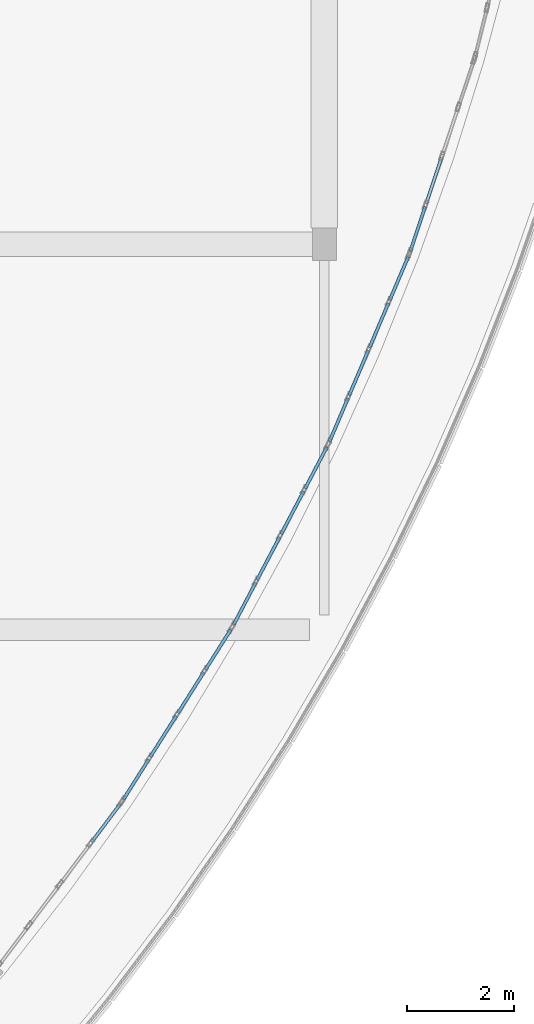
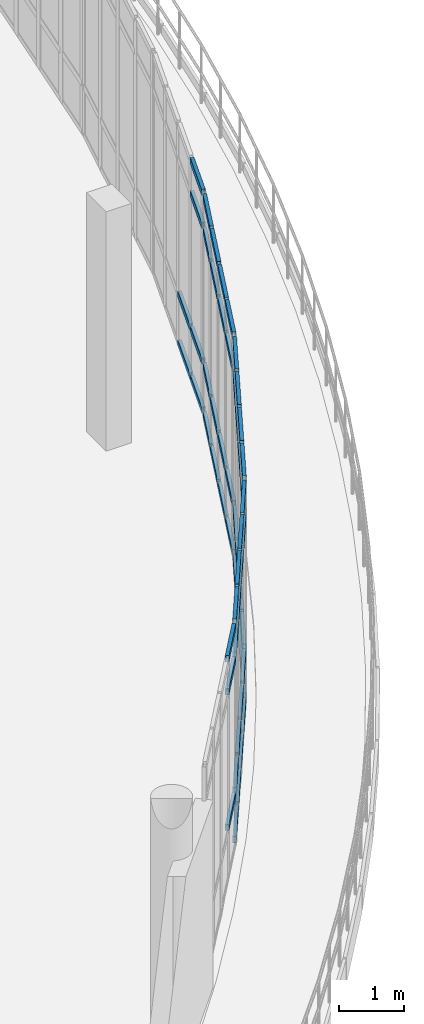
# One storey, part 85 of 124: 57 members, 5 elements without a shape of their own.
"""IFC4 building model written with IfcOpenShell, lengths in metres."""

from ifc_helpers import new_model, si_unit, direction, frame, origin, origin_2d, place, context, subcontext, project, spatial, hollow_rectangle, extrude, material, material_profile, profile_set, type_object, element, aggregate, save


model = new_model("IFC4")

# Units and contexts
model_context = context("Model", 3, precision=1e-05, world=origin(), true_north=direction((0.0, 1.0)))
body_context = subcontext(model_context, "Body", "Model", "MODEL_VIEW")
ifc_project = project(units=[si_unit("LENGTHUNIT", "METRE"), si_unit("AREAUNIT", "SQUARE_METRE"), si_unit("VOLUMEUNIT", "CUBIC_METRE"), si_unit("PLANEANGLEUNIT", "RADIAN"), si_unit("MASSUNIT", "GRAM", prefix="KILO")], contexts=[model_context])

# Site, building, storey
site_placement = place(None, origin())
site = spatial("IfcSite", under=ifc_project, at=site_placement, CompositionType="ELEMENT")
building_placement = place(site_placement, origin())
building = spatial("IfcBuilding", under=site, at=building_placement, Name="Kalluvel Institute of Natural Sciences", CompositionType="ELEMENT")
storey_placement = place(building_placement, frame((0.0, 0.0, 9.89990234375)))
storey = spatial("IfcBuildingStorey", under=building, at=storey_placement, Name="L02", CompositionType="ELEMENT", Elevation=9.89990234375)

# Curtain wall, members
ifc_material = material(Name="Aluminium AW-6063 T6", Category="aluminium")
curtain_wall_type = type_object("IfcCurtainWallType", Name="CW-ATR-ARC", PredefinedType="USERDEFINED", material=ifc_material)
curtain_wall_1_placement = place(storey_placement, origin())
curtain_wall_1 = element("IfcCurtainWall", 1, at=curtain_wall_1_placement, inside=storey, type_object=curtain_wall_type, Name="L02 Gothic lancet curtain wall CWA-L02-X727-Y725", ObjectType="UNITISED LANCET FACADE", PredefinedType="USERDEFINED")
ifc_material_profile = material_profile(ifc_material, hollow_rectangle(XDim=0.06005859375, YDim=0.1201171875, WallThickness=0.00390625, at=origin_2d()), Name="CWT 60x120")
ifc_profile_set = profile_set([ifc_material_profile], Name="Aluminium AW-6063 T6")
member_type = type_object("IfcMemberType", Name="CWT-60x120", PredefinedType="USERDEFINED", material=ifc_profile_set)
member_1_placement = place(storey_placement, frame((74.459716796875, 74.8427734375, 0.9501953125), z_axis=(0.600669993069, 0.799497066553, 0.0), x_axis=(-0.799497066553, 0.600669993069, 0.0)))
member_1 = element("IfcMember", 2, at=member_1_placement, type_object=member_type, Name="CW-05 transom 4.2", ObjectType="TRANSOM", PredefinedType="USERDEFINED", context=body_context, shape_type="SweptSolid", body=[
    extrude(hollow_rectangle(XDim=0.06005859375, YDim=0.1201171875, WallThickness=0.00390625, at=origin_2d()), origin(), (0.0, 0.0, 1.0), 0.874267578125),
])
member_2_placement = place(storey_placement, frame((74.459716796875, 74.8427734375, 3.5), z_axis=(0.600669993069, 0.799497066553, 0.0), x_axis=(-0.799497066553, 0.600669993069, 0.0)))
member_2 = element("IfcMember", 3, at=member_2_placement, type_object=member_type, Name="CW-05 transom 4.3", ObjectType="TRANSOM", PredefinedType="USERDEFINED", context=body_context, shape_type="SweptSolid", body=[
    extrude(hollow_rectangle(XDim=0.06005859375, YDim=0.1201171875, WallThickness=0.00390625, at=origin_2d()), origin(), (0.0, 0.0, 1.0), 0.874267578125),
])
member_3_placement = place(storey_placement, frame((74.459716796875, 74.8427734375, 4.1201171875), z_axis=(0.600669993069, 0.799497066553, 0.0), x_axis=(-0.799497066553, 0.600669993069, 0.0)))
member_3 = element("IfcMember", 4, at=member_3_placement, type_object=member_type, Name="CW-05 transom 4.4", ObjectType="TRANSOM", PredefinedType="USERDEFINED", context=body_context, shape_type="SweptSolid", body=[
    extrude(hollow_rectangle(XDim=0.06005859375, YDim=0.1201171875, WallThickness=0.00390625, at=origin_2d()), origin(), (0.0, 0.0, 1.0), 0.874267578125),
])
aggregate(curtain_wall_1, [member_1, member_2, member_3])

curtain_wall_2_placement = place(storey_placement, origin())
curtain_wall_2 = element("IfcCurtainWall", 5, at=curtain_wall_2_placement, inside=storey, type_object=curtain_wall_type, Name="L02 Gothic lancet curtain wall CWA-L02-X750-Y756", ObjectType="UNITISED LANCET FACADE", PredefinedType="USERDEFINED")
member_4_placement = place(storey_placement, frame((75.052978515625, 75.640380859375, 0.030029296875), z_axis=(0.5344341474, 0.845210117126, 0.0), x_axis=(-0.845210117126, 0.5344341474, 0.0)))
member_4 = element("IfcMember", 6, at=member_4_placement, type_object=member_type, Name="CW-05 transom 1.1", ObjectType="TRANSOM", PredefinedType="USERDEFINED", context=body_context, shape_type="SweptSolid", body=[
    extrude(hollow_rectangle(XDim=0.06005859375, YDim=0.1201171875, WallThickness=0.00390625, at=origin_2d()), origin(), (0.0, 0.0, 1.0), 0.874267578125),
])
member_5_placement = place(storey_placement, frame((75.052978515625, 75.640380859375, 0.9501953125), z_axis=(0.5344341474, 0.845210117126, 0.0), x_axis=(-0.845210117126, 0.5344341474, 0.0)))
member_5 = element("IfcMember", 7, at=member_5_placement, type_object=member_type, Name="CW-05 transom 1.2", ObjectType="TRANSOM", PredefinedType="USERDEFINED", context=body_context, shape_type="SweptSolid", body=[
    extrude(hollow_rectangle(XDim=0.06005859375, YDim=0.1201171875, WallThickness=0.00390625, at=origin_2d()), origin(), (0.0, 0.0, 1.0), 0.874267578125),
])
member_6_placement = place(storey_placement, frame((75.052978515625, 75.640380859375, 3.5), z_axis=(0.5344341474, 0.845210117126, 0.0), x_axis=(-0.845210117126, 0.5344341474, 0.0)))
member_6 = element("IfcMember", 8, at=member_6_placement, type_object=member_type, Name="CW-05 transom 1.3", ObjectType="TRANSOM", PredefinedType="USERDEFINED", context=body_context, shape_type="SweptSolid", body=[
    extrude(hollow_rectangle(XDim=0.06005859375, YDim=0.1201171875, WallThickness=0.00390625, at=origin_2d()), origin(), (0.0, 0.0, 1.0), 0.874267578125),
])
member_7_placement = place(storey_placement, frame((75.052978515625, 75.640380859375, 4.1201171875), z_axis=(0.5344341474, 0.845210117126, 0.0), x_axis=(-0.845210117126, 0.5344341474, 0.0)))
member_7 = element("IfcMember", 9, at=member_7_placement, type_object=member_type, Name="CW-05 transom 1.4", ObjectType="TRANSOM", PredefinedType="USERDEFINED", context=body_context, shape_type="SweptSolid", body=[
    extrude(hollow_rectangle(XDim=0.06005859375, YDim=0.1201171875, WallThickness=0.00390625, at=origin_2d()), origin(), (0.0, 0.0, 1.0), 0.874267578125),
])
member_8_placement = place(storey_placement, frame((75.55224609375, 76.43017578125, 0.030029296875), z_axis=(0.534480397497, 0.845180870992, 0.0), x_axis=(-0.845180870992, 0.534480397497, 0.0)))
member_8 = element("IfcMember", 10, at=member_8_placement, type_object=member_type, Name="CW-05 transom 2.1", ObjectType="TRANSOM", PredefinedType="USERDEFINED", context=body_context, shape_type="SweptSolid", body=[
    extrude(hollow_rectangle(XDim=0.06005859375, YDim=0.1201171875, WallThickness=0.00390625, at=origin_2d()), origin(), (0.0, 0.0, 1.0), 0.904541015625),
])
member_9_placement = place(storey_placement, frame((75.55224609375, 76.43017578125, 0.9501953125), z_axis=(0.534480397497, 0.845180870992, 0.0), x_axis=(-0.845180870992, 0.534480397497, 0.0)))
member_9 = element("IfcMember", 11, at=member_9_placement, type_object=member_type, Name="CW-05 transom 2.2", ObjectType="TRANSOM", PredefinedType="USERDEFINED", context=body_context, shape_type="SweptSolid", body=[
    extrude(hollow_rectangle(XDim=0.06005859375, YDim=0.1201171875, WallThickness=0.00390625, at=origin_2d()), origin(), (0.0, 0.0, 1.0), 0.904541015625),
])
member_10_placement = place(storey_placement, frame((75.55224609375, 76.43017578125, 3.5), z_axis=(0.534480397497, 0.845180870992, 0.0), x_axis=(-0.845180870992, 0.534480397497, 0.0)))
member_10 = element("IfcMember", 12, at=member_10_placement, type_object=member_type, Name="CW-05 transom 2.3", ObjectType="TRANSOM", PredefinedType="USERDEFINED", context=body_context, shape_type="SweptSolid", body=[
    extrude(hollow_rectangle(XDim=0.06005859375, YDim=0.1201171875, WallThickness=0.00390625, at=origin_2d()), origin(), (0.0, 0.0, 1.0), 0.904541015625),
])
member_11_placement = place(storey_placement, frame((75.55224609375, 76.43017578125, 4.1201171875), z_axis=(0.534480397497, 0.845180870992, 0.0), x_axis=(-0.845180870992, 0.534480397497, 0.0)))
member_11 = element("IfcMember", 13, at=member_11_placement, type_object=member_type, Name="CW-05 transom 2.4", ObjectType="TRANSOM", PredefinedType="USERDEFINED", context=body_context, shape_type="SweptSolid", body=[
    extrude(hollow_rectangle(XDim=0.06005859375, YDim=0.1201171875, WallThickness=0.00390625, at=origin_2d()), origin(), (0.0, 0.0, 1.0), 0.904541015625),
])
member_12_placement = place(storey_placement, frame((76.06787109375, 77.2451171875, 0.030029296875), z_axis=(0.534287529623, 0.845302807099, 0.0), x_axis=(-0.845302807099, 0.534287529623, 0.0)))
member_12 = element("IfcMember", 14, at=member_12_placement, type_object=member_type, Name="CW-05 transom 3.1", ObjectType="TRANSOM", PredefinedType="USERDEFINED", context=body_context, shape_type="SweptSolid", body=[
    extrude(hollow_rectangle(XDim=0.06005859375, YDim=0.1201171875, WallThickness=0.00390625, at=origin_2d()), origin(), (0.0, 0.0, 1.0), 0.904296875),
])
member_13_placement = place(storey_placement, frame((76.06787109375, 77.2451171875, 0.9501953125), z_axis=(0.534287529623, 0.845302807099, 0.0), x_axis=(-0.845302807099, 0.534287529623, 0.0)))
member_13 = element("IfcMember", 15, at=member_13_placement, type_object=member_type, Name="CW-05 transom 3.2", ObjectType="TRANSOM", PredefinedType="USERDEFINED", context=body_context, shape_type="SweptSolid", body=[
    extrude(hollow_rectangle(XDim=0.06005859375, YDim=0.1201171875, WallThickness=0.00390625, at=origin_2d()), origin(), (0.0, 0.0, 1.0), 0.904296875),
])
member_14_placement = place(storey_placement, frame((76.06787109375, 77.2451171875, 3.5), z_axis=(0.534287529623, 0.845302807099, 0.0), x_axis=(-0.845302807099, 0.534287529623, 0.0)))
member_14 = element("IfcMember", 16, at=member_14_placement, type_object=member_type, Name="CW-05 transom 3.3", ObjectType="TRANSOM", PredefinedType="USERDEFINED", context=body_context, shape_type="SweptSolid", body=[
    extrude(hollow_rectangle(XDim=0.06005859375, YDim=0.1201171875, WallThickness=0.00390625, at=origin_2d()), origin(), (0.0, 0.0, 1.0), 0.904296875),
])
member_15_placement = place(storey_placement, frame((76.06787109375, 77.2451171875, 4.1201171875), z_axis=(0.534287529623, 0.845302807099, 0.0), x_axis=(-0.845302807099, 0.534287529623, 0.0)))
member_15 = element("IfcMember", 17, at=member_15_placement, type_object=member_type, Name="CW-05 transom 3.4", ObjectType="TRANSOM", PredefinedType="USERDEFINED", context=body_context, shape_type="SweptSolid", body=[
    extrude(hollow_rectangle(XDim=0.06005859375, YDim=0.1201171875, WallThickness=0.00390625, at=origin_2d()), origin(), (0.0, 0.0, 1.0), 0.904296875),
])
member_16_placement = place(storey_placement, frame((76.583251953125, 78.060302734375, 0.030029296875), z_axis=(0.5344341474, 0.845210117126, 0.0), x_axis=(-0.845210117126, 0.5344341474, 0.0)))
member_16 = element("IfcMember", 18, at=member_16_placement, type_object=member_type, Name="CW-05 transom 4.1", ObjectType="TRANSOM", PredefinedType="USERDEFINED", context=body_context, shape_type="SweptSolid", body=[
    extrude(hollow_rectangle(XDim=0.06005859375, YDim=0.1201171875, WallThickness=0.00390625, at=origin_2d()), origin(), (0.0, 0.0, 1.0), 0.874267578125),
])
member_17_placement = place(storey_placement, frame((76.583251953125, 78.060302734375, 0.9501953125), z_axis=(0.5344341474, 0.845210117126, 0.0), x_axis=(-0.845210117126, 0.5344341474, 0.0)))
member_17 = element("IfcMember", 19, at=member_17_placement, type_object=member_type, Name="CW-05 transom 4.2", ObjectType="TRANSOM", PredefinedType="USERDEFINED", context=body_context, shape_type="SweptSolid", body=[
    extrude(hollow_rectangle(XDim=0.06005859375, YDim=0.1201171875, WallThickness=0.00390625, at=origin_2d()), origin(), (0.0, 0.0, 1.0), 0.874267578125),
])
member_18_placement = place(storey_placement, frame((76.583251953125, 78.060302734375, 3.5), z_axis=(0.5344341474, 0.845210117126, 0.0), x_axis=(-0.845210117126, 0.5344341474, 0.0)))
member_18 = element("IfcMember", 20, at=member_18_placement, type_object=member_type, Name="CW-05 transom 4.3", ObjectType="TRANSOM", PredefinedType="USERDEFINED", context=body_context, shape_type="SweptSolid", body=[
    extrude(hollow_rectangle(XDim=0.06005859375, YDim=0.1201171875, WallThickness=0.00390625, at=origin_2d()), origin(), (0.0, 0.0, 1.0), 0.874267578125),
])
member_19_placement = place(storey_placement, frame((76.583251953125, 78.060302734375, 4.1201171875), z_axis=(0.5344341474, 0.845210117126, 0.0), x_axis=(-0.845210117126, 0.5344341474, 0.0)))
member_19 = element("IfcMember", 21, at=member_19_placement, type_object=member_type, Name="CW-05 transom 4.4", ObjectType="TRANSOM", PredefinedType="USERDEFINED", context=body_context, shape_type="SweptSolid", body=[
    extrude(hollow_rectangle(XDim=0.06005859375, YDim=0.1201171875, WallThickness=0.00390625, at=origin_2d()), origin(), (0.0, 0.0, 1.0), 0.874267578125),
])
aggregate(curtain_wall_2, [member_4, member_5, member_6, member_7, member_8, member_9, member_10, member_11, member_12, member_13, member_14, member_15, member_16, member_17, member_18, member_19])

curtain_wall_3_placement = place(storey_placement, origin())
curtain_wall_3 = element("IfcCurtainWall", 22, at=curtain_wall_3_placement, inside=storey, type_object=curtain_wall_type, Name="L02 Gothic lancet curtain wall CWA-L02-X771-Y788", ObjectType="UNITISED LANCET FACADE", PredefinedType="USERDEFINED")
member_20_placement = place(storey_placement, frame((77.110595703125, 78.903076171875, 0.030029296875), z_axis=(0.46466423626, 0.885486955037, 0.0), x_axis=(-0.885486955037, 0.46466423626, 0.0)))
member_20 = element("IfcMember", 23, at=member_20_placement, type_object=member_type, Name="CW-05 transom 1.1", ObjectType="TRANSOM", PredefinedType="USERDEFINED", context=body_context, shape_type="SweptSolid", body=[
    extrude(hollow_rectangle(XDim=0.06005859375, YDim=0.1201171875, WallThickness=0.00390625, at=origin_2d()), origin(), (0.0, 0.0, 1.0), 0.874267578125),
])
member_21_placement = place(storey_placement, frame((77.110595703125, 78.903076171875, 0.9501953125), z_axis=(0.46466423626, 0.885486955037, 0.0), x_axis=(-0.885486955037, 0.46466423626, 0.0)))
member_21 = element("IfcMember", 24, at=member_21_placement, type_object=member_type, Name="CW-05 transom 1.2", ObjectType="TRANSOM", PredefinedType="USERDEFINED", context=body_context, shape_type="SweptSolid", body=[
    extrude(hollow_rectangle(XDim=0.06005859375, YDim=0.1201171875, WallThickness=0.00390625, at=origin_2d()), origin(), (0.0, 0.0, 1.0), 0.874267578125),
])
member_22_placement = place(storey_placement, frame((77.110595703125, 78.903076171875, 3.5), z_axis=(0.46466423626, 0.885486955037, 0.0), x_axis=(-0.885486955037, 0.46466423626, 0.0)))
member_22 = element("IfcMember", 25, at=member_22_placement, type_object=member_type, Name="CW-05 transom 1.3", ObjectType="TRANSOM", PredefinedType="USERDEFINED", context=body_context, shape_type="SweptSolid", body=[
    extrude(hollow_rectangle(XDim=0.06005859375, YDim=0.1201171875, WallThickness=0.00390625, at=origin_2d()), origin(), (0.0, 0.0, 1.0), 0.874267578125),
])
member_23_placement = place(storey_placement, frame((77.110595703125, 78.903076171875, 4.1201171875), z_axis=(0.46466423626, 0.885486955037, 0.0), x_axis=(-0.885486955037, 0.46466423626, 0.0)))
member_23 = element("IfcMember", 26, at=member_23_placement, type_object=member_type, Name="CW-05 transom 1.4", ObjectType="TRANSOM", PredefinedType="USERDEFINED", context=body_context, shape_type="SweptSolid", body=[
    extrude(hollow_rectangle(XDim=0.06005859375, YDim=0.1201171875, WallThickness=0.00390625, at=origin_2d()), origin(), (0.0, 0.0, 1.0), 0.874267578125),
])
member_24_placement = place(storey_placement, frame((77.544677734375, 79.73046875, 0.030029296875), z_axis=(0.46483389899, 0.885397902838, 0.0), x_axis=(-0.885397902838, 0.46483389899, 0.0)))
member_24 = element("IfcMember", 27, at=member_24_placement, type_object=member_type, Name="CW-05 transom 2.1", ObjectType="TRANSOM", PredefinedType="USERDEFINED", context=body_context, shape_type="SweptSolid", body=[
    extrude(hollow_rectangle(XDim=0.06005859375, YDim=0.1201171875, WallThickness=0.00390625, at=origin_2d()), origin(), (0.0, 0.0, 1.0), 0.904541015625),
])
member_25_placement = place(storey_placement, frame((77.544677734375, 79.73046875, 0.9501953125), z_axis=(0.46483389899, 0.885397902838, 0.0), x_axis=(-0.885397902838, 0.46483389899, 0.0)))
member_25 = element("IfcMember", 28, at=member_25_placement, type_object=member_type, Name="CW-05 transom 2.2", ObjectType="TRANSOM", PredefinedType="USERDEFINED", context=body_context, shape_type="SweptSolid", body=[
    extrude(hollow_rectangle(XDim=0.06005859375, YDim=0.1201171875, WallThickness=0.00390625, at=origin_2d()), origin(), (0.0, 0.0, 1.0), 0.904541015625),
])
member_26_placement = place(storey_placement, frame((77.544677734375, 79.73046875, 3.5), z_axis=(0.46483389899, 0.885397902838, 0.0), x_axis=(-0.885397902838, 0.46483389899, 0.0)))
member_26 = element("IfcMember", 29, at=member_26_placement, type_object=member_type, Name="CW-05 transom 2.3", ObjectType="TRANSOM", PredefinedType="USERDEFINED", context=body_context, shape_type="SweptSolid", body=[
    extrude(hollow_rectangle(XDim=0.06005859375, YDim=0.1201171875, WallThickness=0.00390625, at=origin_2d()), origin(), (0.0, 0.0, 1.0), 0.904541015625),
])
member_27_placement = place(storey_placement, frame((77.544677734375, 79.73046875, 4.1201171875), z_axis=(0.46483389899, 0.885397902838, 0.0), x_axis=(-0.885397902838, 0.46483389899, 0.0)))
member_27 = element("IfcMember", 30, at=member_27_placement, type_object=member_type, Name="CW-05 transom 2.4", ObjectType="TRANSOM", PredefinedType="USERDEFINED", context=body_context, shape_type="SweptSolid", body=[
    extrude(hollow_rectangle(XDim=0.06005859375, YDim=0.1201171875, WallThickness=0.00390625, at=origin_2d()), origin(), (0.0, 0.0, 1.0), 0.904541015625),
])
member_28_placement = place(storey_placement, frame((77.992919921875, 80.58447265625, 0.030029296875), z_axis=(0.464622246512, 0.885508988123, 0.0), x_axis=(-0.885508988123, 0.464622246512, 0.0)))
member_28 = element("IfcMember", 31, at=member_28_placement, type_object=member_type, Name="CW-05 transom 3.1", ObjectType="TRANSOM", PredefinedType="USERDEFINED", context=body_context, shape_type="SweptSolid", body=[
    extrude(hollow_rectangle(XDim=0.06005859375, YDim=0.1201171875, WallThickness=0.00390625, at=origin_2d()), origin(), (0.0, 0.0, 1.0), 0.904296875),
])
member_29_placement = place(storey_placement, frame((77.992919921875, 80.58447265625, 0.9501953125), z_axis=(0.464622246512, 0.885508988123, 0.0), x_axis=(-0.885508988123, 0.464622246512, 0.0)))
member_29 = element("IfcMember", 32, at=member_29_placement, type_object=member_type, Name="CW-05 transom 3.2", ObjectType="TRANSOM", PredefinedType="USERDEFINED", context=body_context, shape_type="SweptSolid", body=[
    extrude(hollow_rectangle(XDim=0.06005859375, YDim=0.1201171875, WallThickness=0.00390625, at=origin_2d()), origin(), (0.0, 0.0, 1.0), 0.904296875),
])
member_30_placement = place(storey_placement, frame((77.992919921875, 80.58447265625, 3.5), z_axis=(0.464622246512, 0.885508988123, 0.0), x_axis=(-0.885508988123, 0.464622246512, 0.0)))
member_30 = element("IfcMember", 33, at=member_30_placement, type_object=member_type, Name="CW-05 transom 3.3", ObjectType="TRANSOM", PredefinedType="USERDEFINED", context=body_context, shape_type="SweptSolid", body=[
    extrude(hollow_rectangle(XDim=0.06005859375, YDim=0.1201171875, WallThickness=0.00390625, at=origin_2d()), origin(), (0.0, 0.0, 1.0), 0.904296875),
])
member_31_placement = place(storey_placement, frame((77.992919921875, 80.58447265625, 4.1201171875), z_axis=(0.464622246512, 0.885508988123, 0.0), x_axis=(-0.885508988123, 0.464622246512, 0.0)))
member_31 = element("IfcMember", 34, at=member_31_placement, type_object=member_type, Name="CW-05 transom 3.4", ObjectType="TRANSOM", PredefinedType="USERDEFINED", context=body_context, shape_type="SweptSolid", body=[
    extrude(hollow_rectangle(XDim=0.06005859375, YDim=0.1201171875, WallThickness=0.00390625, at=origin_2d()), origin(), (0.0, 0.0, 1.0), 0.904296875),
])
member_32_placement = place(storey_placement, frame((78.441162109375, 81.438232421875, 0.030029296875), z_axis=(0.46466423626, 0.885486955037, 0.0), x_axis=(-0.885486955037, 0.46466423626, 0.0)))
member_32 = element("IfcMember", 35, at=member_32_placement, type_object=member_type, Name="CW-05 transom 4.1", ObjectType="TRANSOM", PredefinedType="USERDEFINED", context=body_context, shape_type="SweptSolid", body=[
    extrude(hollow_rectangle(XDim=0.06005859375, YDim=0.1201171875, WallThickness=0.00390625, at=origin_2d()), origin(), (0.0, 0.0, 1.0), 0.874267578125),
])
member_33_placement = place(storey_placement, frame((78.441162109375, 81.438232421875, 0.9501953125), z_axis=(0.46466423626, 0.885486955037, 0.0), x_axis=(-0.885486955037, 0.46466423626, 0.0)))
member_33 = element("IfcMember", 36, at=member_33_placement, type_object=member_type, Name="CW-05 transom 4.2", ObjectType="TRANSOM", PredefinedType="USERDEFINED", context=body_context, shape_type="SweptSolid", body=[
    extrude(hollow_rectangle(XDim=0.06005859375, YDim=0.1201171875, WallThickness=0.00390625, at=origin_2d()), origin(), (0.0, 0.0, 1.0), 0.874267578125),
])
member_34_placement = place(storey_placement, frame((78.441162109375, 81.438232421875, 3.5), z_axis=(0.46466423626, 0.885486955037, 0.0), x_axis=(-0.885486955037, 0.46466423626, 0.0)))
member_34 = element("IfcMember", 37, at=member_34_placement, type_object=member_type, Name="CW-05 transom 4.3", ObjectType="TRANSOM", PredefinedType="USERDEFINED", context=body_context, shape_type="SweptSolid", body=[
    extrude(hollow_rectangle(XDim=0.06005859375, YDim=0.1201171875, WallThickness=0.00390625, at=origin_2d()), origin(), (0.0, 0.0, 1.0), 0.874267578125),
])
member_35_placement = place(storey_placement, frame((78.441162109375, 81.438232421875, 4.1201171875), z_axis=(0.46466423626, 0.885486955037, 0.0), x_axis=(-0.885486955037, 0.46466423626, 0.0)))
member_35 = element("IfcMember", 38, at=member_35_placement, type_object=member_type, Name="CW-05 transom 4.4", ObjectType="TRANSOM", PredefinedType="USERDEFINED", context=body_context, shape_type="SweptSolid", body=[
    extrude(hollow_rectangle(XDim=0.06005859375, YDim=0.1201171875, WallThickness=0.00390625, at=origin_2d()), origin(), (0.0, 0.0, 1.0), 0.874267578125),
])
aggregate(curtain_wall_3, [member_20, member_21, member_22, member_23, member_24, member_25, member_26, member_27, member_28, member_29, member_30, member_31, member_32, member_33, member_34, member_35])

curtain_wall_4_placement = place(storey_placement, origin())
curtain_wall_4 = element("IfcCurtainWall", 39, at=curtain_wall_4_placement, inside=storey, type_object=curtain_wall_type, Name="L02 Gothic lancet curtain wall CWA-L02-X789-Y823", ObjectType="UNITISED LANCET FACADE", PredefinedType="USERDEFINED")
member_36_placement = place(storey_placement, frame((78.89892578125, 82.32080078125, 0.030029296875), z_axis=(0.391761393645, 0.920066851076, 0.0), x_axis=(-0.920066851076, 0.391761393645, 0.0)))
member_36 = element("IfcMember", 40, at=member_36_placement, type_object=member_type, Name="CW-05 transom 1.1", ObjectType="TRANSOM", PredefinedType="USERDEFINED", context=body_context, shape_type="SweptSolid", body=[
    extrude(hollow_rectangle(XDim=0.06005859375, YDim=0.1201171875, WallThickness=0.00390625, at=origin_2d()), origin(), (0.0, 0.0, 1.0), 0.874267578125),
])
member_37_placement = place(storey_placement, frame((78.89892578125, 82.32080078125, 0.9501953125), z_axis=(0.391761393645, 0.920066851076, 0.0), x_axis=(-0.920066851076, 0.391761393645, 0.0)))
member_37 = element("IfcMember", 41, at=member_37_placement, type_object=member_type, Name="CW-05 transom 1.2", ObjectType="TRANSOM", PredefinedType="USERDEFINED", context=body_context, shape_type="SweptSolid", body=[
    extrude(hollow_rectangle(XDim=0.06005859375, YDim=0.1201171875, WallThickness=0.00390625, at=origin_2d()), origin(), (0.0, 0.0, 1.0), 0.874267578125),
])
member_38_placement = place(storey_placement, frame((78.89892578125, 82.32080078125, 3.5), z_axis=(0.391761393645, 0.920066851076, 0.0), x_axis=(-0.920066851076, 0.391761393645, 0.0)))
member_38 = element("IfcMember", 42, at=member_38_placement, type_object=member_type, Name="CW-05 transom 1.3", ObjectType="TRANSOM", PredefinedType="USERDEFINED", context=body_context, shape_type="SweptSolid", body=[
    extrude(hollow_rectangle(XDim=0.06005859375, YDim=0.1201171875, WallThickness=0.00390625, at=origin_2d()), origin(), (0.0, 0.0, 1.0), 0.874267578125),
])
member_39_placement = place(storey_placement, frame((78.89892578125, 82.32080078125, 4.1201171875), z_axis=(0.391761393645, 0.920066851076, 0.0), x_axis=(-0.920066851076, 0.391761393645, 0.0)))
member_39 = element("IfcMember", 43, at=member_39_placement, type_object=member_type, Name="CW-05 transom 1.4", ObjectType="TRANSOM", PredefinedType="USERDEFINED", context=body_context, shape_type="SweptSolid", body=[
    extrude(hollow_rectangle(XDim=0.06005859375, YDim=0.1201171875, WallThickness=0.00390625, at=origin_2d()), origin(), (0.0, 0.0, 1.0), 0.874267578125),
])
member_40_placement = place(storey_placement, frame((79.26513671875, 83.180419921875, 0.030029296875), z_axis=(0.391963616242, 0.919980719114, 0.0), x_axis=(-0.919980719114, 0.391963616242, 0.0)))
member_40 = element("IfcMember", 44, at=member_40_placement, type_object=member_type, Name="CW-05 transom 2.1", ObjectType="TRANSOM", PredefinedType="USERDEFINED", context=body_context, shape_type="SweptSolid", body=[
    extrude(hollow_rectangle(XDim=0.06005859375, YDim=0.1201171875, WallThickness=0.00390625, at=origin_2d()), origin(), (0.0, 0.0, 1.0), 0.904296875),
])
member_41_placement = place(storey_placement, frame((79.26513671875, 83.180419921875, 0.9501953125), z_axis=(0.391963616242, 0.919980719114, 0.0), x_axis=(-0.919980719114, 0.391963616242, 0.0)))
member_41 = element("IfcMember", 45, at=member_41_placement, type_object=member_type, Name="CW-05 transom 2.2", ObjectType="TRANSOM", PredefinedType="USERDEFINED", context=body_context, shape_type="SweptSolid", body=[
    extrude(hollow_rectangle(XDim=0.06005859375, YDim=0.1201171875, WallThickness=0.00390625, at=origin_2d()), origin(), (0.0, 0.0, 1.0), 0.904296875),
])
member_42_placement = place(storey_placement, frame((79.26513671875, 83.180419921875, 3.5), z_axis=(0.391963616242, 0.919980719114, 0.0), x_axis=(-0.919980719114, 0.391963616242, 0.0)))
member_42 = element("IfcMember", 46, at=member_42_placement, type_object=member_type, Name="CW-05 transom 2.3", ObjectType="TRANSOM", PredefinedType="USERDEFINED", context=body_context, shape_type="SweptSolid", body=[
    extrude(hollow_rectangle(XDim=0.06005859375, YDim=0.1201171875, WallThickness=0.00390625, at=origin_2d()), origin(), (0.0, 0.0, 1.0), 0.904296875),
])
member_43_placement = place(storey_placement, frame((79.26513671875, 83.180419921875, 4.1201171875), z_axis=(0.391963616242, 0.919980719114, 0.0), x_axis=(-0.919980719114, 0.391963616242, 0.0)))
member_43 = element("IfcMember", 47, at=member_43_placement, type_object=member_type, Name="CW-05 transom 2.4", ObjectType="TRANSOM", PredefinedType="USERDEFINED", context=body_context, shape_type="SweptSolid", body=[
    extrude(hollow_rectangle(XDim=0.06005859375, YDim=0.1201171875, WallThickness=0.00390625, at=origin_2d()), origin(), (0.0, 0.0, 1.0), 0.904296875),
])
member_44_placement = place(storey_placement, frame((79.64306640625, 84.067626953125, 0.030029296875), z_axis=(0.391963616242, 0.919980719114, 0.0), x_axis=(-0.919980719114, 0.391963616242, 0.0)))
member_44 = element("IfcMember", 48, at=member_44_placement, type_object=member_type, Name="CW-05 transom 3.1", ObjectType="TRANSOM", PredefinedType="USERDEFINED", context=body_context, shape_type="SweptSolid", body=[
    extrude(hollow_rectangle(XDim=0.06005859375, YDim=0.1201171875, WallThickness=0.00390625, at=origin_2d()), origin(), (0.0, 0.0, 1.0), 0.904296875),
])
member_45_placement = place(storey_placement, frame((79.64306640625, 84.067626953125, 0.9501953125), z_axis=(0.391963616242, 0.919980719114, 0.0), x_axis=(-0.919980719114, 0.391963616242, 0.0)))
member_45 = element("IfcMember", 49, at=member_45_placement, type_object=member_type, Name="CW-05 transom 3.2", ObjectType="TRANSOM", PredefinedType="USERDEFINED", context=body_context, shape_type="SweptSolid", body=[
    extrude(hollow_rectangle(XDim=0.06005859375, YDim=0.1201171875, WallThickness=0.00390625, at=origin_2d()), origin(), (0.0, 0.0, 1.0), 0.904296875),
])
member_46_placement = place(storey_placement, frame((79.64306640625, 84.067626953125, 3.5), z_axis=(0.391963616242, 0.919980719114, 0.0), x_axis=(-0.919980719114, 0.391963616242, 0.0)))
member_46 = element("IfcMember", 50, at=member_46_placement, type_object=member_type, Name="CW-05 transom 3.3", ObjectType="TRANSOM", PredefinedType="USERDEFINED", context=body_context, shape_type="SweptSolid", body=[
    extrude(hollow_rectangle(XDim=0.06005859375, YDim=0.1201171875, WallThickness=0.00390625, at=origin_2d()), origin(), (0.0, 0.0, 1.0), 0.904296875),
])
member_47_placement = place(storey_placement, frame((79.64306640625, 84.067626953125, 4.1201171875), z_axis=(0.391963616242, 0.919980719114, 0.0), x_axis=(-0.919980719114, 0.391963616242, 0.0)))
member_47 = element("IfcMember", 51, at=member_47_placement, type_object=member_type, Name="CW-05 transom 3.4", ObjectType="TRANSOM", PredefinedType="USERDEFINED", context=body_context, shape_type="SweptSolid", body=[
    extrude(hollow_rectangle(XDim=0.06005859375, YDim=0.1201171875, WallThickness=0.00390625, at=origin_2d()), origin(), (0.0, 0.0, 1.0), 0.904296875),
])
member_48_placement = place(storey_placement, frame((80.02099609375, 84.954833984375, 0.030029296875), z_axis=(0.391997730504, 0.919966183769, 0.0), x_axis=(-0.919966183769, 0.391997730504, 0.0)))
member_48 = element("IfcMember", 52, at=member_48_placement, type_object=member_type, Name="CW-05 transom 4.1", ObjectType="TRANSOM", PredefinedType="USERDEFINED", context=body_context, shape_type="SweptSolid", body=[
    extrude(hollow_rectangle(XDim=0.06005859375, YDim=0.1201171875, WallThickness=0.00390625, at=origin_2d()), origin(), (0.0, 0.0, 1.0), 0.87451171875),
])
member_49_placement = place(storey_placement, frame((80.02099609375, 84.954833984375, 0.9501953125), z_axis=(0.391997730504, 0.919966183769, 0.0), x_axis=(-0.919966183769, 0.391997730504, 0.0)))
member_49 = element("IfcMember", 53, at=member_49_placement, type_object=member_type, Name="CW-05 transom 4.2", ObjectType="TRANSOM", PredefinedType="USERDEFINED", context=body_context, shape_type="SweptSolid", body=[
    extrude(hollow_rectangle(XDim=0.06005859375, YDim=0.1201171875, WallThickness=0.00390625, at=origin_2d()), origin(), (0.0, 0.0, 1.0), 0.87451171875),
])
member_50_placement = place(storey_placement, frame((80.02099609375, 84.954833984375, 3.5), z_axis=(0.391997730504, 0.919966183769, 0.0), x_axis=(-0.919966183769, 0.391997730504, 0.0)))
member_50 = element("IfcMember", 54, at=member_50_placement, type_object=member_type, Name="CW-05 transom 4.3", ObjectType="TRANSOM", PredefinedType="USERDEFINED", context=body_context, shape_type="SweptSolid", body=[
    extrude(hollow_rectangle(XDim=0.06005859375, YDim=0.1201171875, WallThickness=0.00390625, at=origin_2d()), origin(), (0.0, 0.0, 1.0), 0.87451171875),
])
member_51_placement = place(storey_placement, frame((80.02099609375, 84.954833984375, 4.1201171875), z_axis=(0.391997730504, 0.919966183769, 0.0), x_axis=(-0.919966183769, 0.391997730504, 0.0)))
member_51 = element("IfcMember", 55, at=member_51_placement, type_object=member_type, Name="CW-05 transom 4.4", ObjectType="TRANSOM", PredefinedType="USERDEFINED", context=body_context, shape_type="SweptSolid", body=[
    extrude(hollow_rectangle(XDim=0.06005859375, YDim=0.1201171875, WallThickness=0.00390625, at=origin_2d()), origin(), (0.0, 0.0, 1.0), 0.87451171875),
])
aggregate(curtain_wall_4, [member_36, member_37, member_38, member_39, member_40, member_41, member_42, member_43, member_44, member_45, member_46, member_47, member_48, member_49, member_50, member_51])

curtain_wall_5_placement = place(storey_placement, origin())
curtain_wall_5 = element("IfcCurtainWall", 56, at=curtain_wall_5_placement, inside=storey, type_object=curtain_wall_type, Name="L02 Gothic lancet curtain wall CWA-L02-X804-Y858", ObjectType="UNITISED LANCET FACADE", PredefinedType="USERDEFINED")
member_52_placement = place(storey_placement, frame((80.40625, 85.871337890625, 0.030029296875), z_axis=(0.316646579879, 0.948543590696, 0.0), x_axis=(-0.948543590696, 0.316646579879, 0.0)))
member_52 = element("IfcMember", 57, at=member_52_placement, type_object=member_type, Name="CW-05 transom 1.1", ObjectType="TRANSOM", PredefinedType="USERDEFINED", context=body_context, shape_type="SweptSolid", body=[
    extrude(hollow_rectangle(XDim=0.06005859375, YDim=0.1201171875, WallThickness=0.00390625, at=origin_2d()), origin(), (0.0, 0.0, 1.0), 0.874267578125),
])
member_53_placement = place(storey_placement, frame((80.40625, 85.871337890625, 0.9501953125), z_axis=(0.316646579879, 0.948543590696, 0.0), x_axis=(-0.948543590696, 0.316646579879, 0.0)))
member_53 = element("IfcMember", 58, at=member_53_placement, type_object=member_type, Name="CW-05 transom 1.2", ObjectType="TRANSOM", PredefinedType="USERDEFINED", context=body_context, shape_type="SweptSolid", body=[
    extrude(hollow_rectangle(XDim=0.06005859375, YDim=0.1201171875, WallThickness=0.00390625, at=origin_2d()), origin(), (0.0, 0.0, 1.0), 0.874267578125),
])
member_54_placement = place(storey_placement, frame((80.40625, 85.871337890625, 3.5), z_axis=(0.316646579879, 0.948543590696, 0.0), x_axis=(-0.948543590696, 0.316646579879, 0.0)))
member_54 = element("IfcMember", 59, at=member_54_placement, type_object=member_type, Name="CW-05 transom 1.3", ObjectType="TRANSOM", PredefinedType="USERDEFINED", context=body_context, shape_type="SweptSolid", body=[
    extrude(hollow_rectangle(XDim=0.06005859375, YDim=0.1201171875, WallThickness=0.00390625, at=origin_2d()), origin(), (0.0, 0.0, 1.0), 0.874267578125),
])
member_55_placement = place(storey_placement, frame((80.40625, 85.871337890625, 4.1201171875), z_axis=(0.316646579879, 0.948543590696, 0.0), x_axis=(-0.948543590696, 0.316646579879, 0.0)))
member_55 = element("IfcMember", 60, at=member_55_placement, type_object=member_type, Name="CW-05 transom 1.4", ObjectType="TRANSOM", PredefinedType="USERDEFINED", context=body_context, shape_type="SweptSolid", body=[
    extrude(hollow_rectangle(XDim=0.06005859375, YDim=0.1201171875, WallThickness=0.00390625, at=origin_2d()), origin(), (0.0, 0.0, 1.0), 0.874267578125),
])
member_56_placement = place(storey_placement, frame((80.7021484375, 86.757568359375, 0.030029296875), z_axis=(0.316632638287, 0.94854824462, 0.0), x_axis=(-0.94854824462, 0.316632638287, 0.0)))
member_56 = element("IfcMember", 61, at=member_56_placement, type_object=member_type, Name="CW-05 transom 2.1", ObjectType="TRANSOM", PredefinedType="USERDEFINED", context=body_context, shape_type="SweptSolid", body=[
    extrude(hollow_rectangle(XDim=0.06005859375, YDim=0.1201171875, WallThickness=0.00390625, at=origin_2d()), origin(), (0.0, 0.0, 1.0), 0.904541015625),
])
member_57_placement = place(storey_placement, frame((80.7021484375, 86.757568359375, 0.9501953125), z_axis=(0.316632638287, 0.94854824462, 0.0), x_axis=(-0.94854824462, 0.316632638287, 0.0)))
member_57 = element("IfcMember", 62, at=member_57_placement, type_object=member_type, Name="CW-05 transom 2.2", ObjectType="TRANSOM", PredefinedType="USERDEFINED", context=body_context, shape_type="SweptSolid", body=[
    extrude(hollow_rectangle(XDim=0.06005859375, YDim=0.1201171875, WallThickness=0.00390625, at=origin_2d()), origin(), (0.0, 0.0, 1.0), 0.904541015625),
])
aggregate(curtain_wall_5, [member_52, member_53, member_54, member_55, member_56, member_57])

save(model, "model.ifc")
